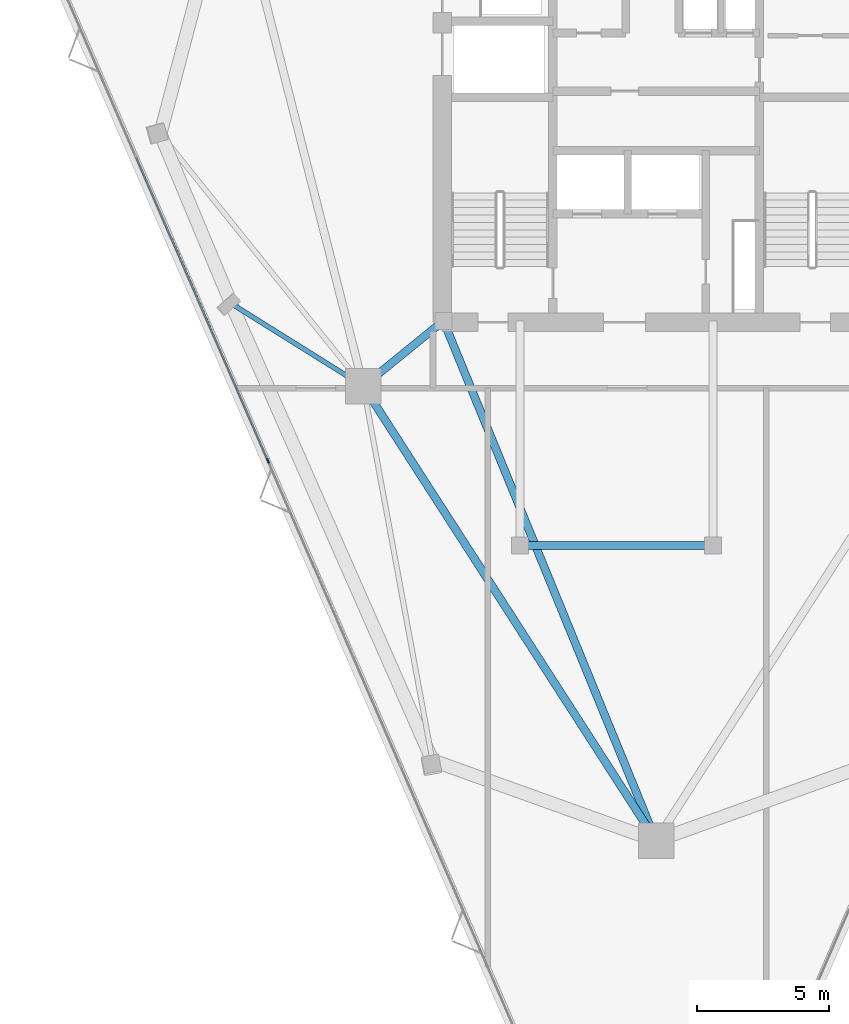
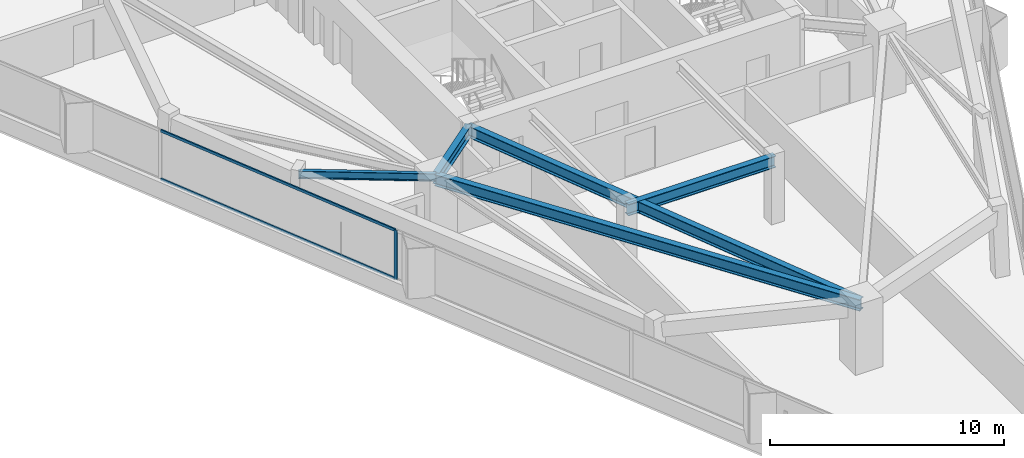
# One storey, part 3 of 12: 5 beams, 3 members, 1 element without a shape of its own.
"""IFC4 building model written with IfcOpenShell, lengths in metres."""

from ifc_helpers import new_model, si_unit, direction, frame, origin, origin_2d, place, context, subcontext, project, spatial, rectangle, i_section, extrude, material, layer, layer_set, material_profile, profile_set, type_object, element, aggregate, save


model = new_model("IFC4")

# Units and contexts
model_context = context("Model", 3, precision=1e-05, world=origin(), true_north=direction((0.0, 1.0)))
body_context = subcontext(model_context, "Body", "Model", "MODEL_VIEW")
ifc_project = project(units=[si_unit("LENGTHUNIT", "METRE"), si_unit("AREAUNIT", "SQUARE_METRE"), si_unit("VOLUMEUNIT", "CUBIC_METRE"), si_unit("PLANEANGLEUNIT", "RADIAN"), si_unit("MASSUNIT", "GRAM", prefix="KILO")], contexts=[model_context])

# Site, building, storey
site_placement = place(None, origin())
site = spatial("IfcSite", under=ifc_project, at=site_placement, CompositionType="ELEMENT")
building_placement = place(site_placement, origin())
building = spatial("IfcBuilding", under=site, at=building_placement, Name="Talyreon Biosciences Tower", CompositionType="ELEMENT")
storey_placement = place(building_placement, frame((0.0, 0.0, 215.89990234375)))
storey = spatial("IfcBuildingStorey", under=building, at=storey_placement, Name="L57", CompositionType="ELEMENT", Elevation=215.89990234375)

# Curtain wall, members
ifc_material_1 = material(Name="Thermally broken aluminium and low-E glazing", Category="aluminium")
ifc_layer = layer(ifc_material_1, 0.179931640625)
ifc_layer_set = layer_set([ifc_layer], Name="Thermally broken aluminium and low-E glazing")
curtain_wall_type = type_object("IfcCurtainWallType", Name="CurtainWall_Zone4Optical", PredefinedType="NOTDEFINED", material=ifc_layer_set)
curtain_wall_placement = place(storey_placement, origin())
curtain_wall = element("IfcCurtainWall", 1, at=curtain_wall_placement, inside=storey, type_object=curtain_wall_type, Name="L57 Unitised Curtain Wall FCW-L57-00", PredefinedType="NOTDEFINED")
ifc_material_2 = material(Name="Anodised thermally broken aluminium", Category="aluminium")
ifc_material_profile_1 = material_profile(ifc_material_2, rectangle(XDim=0.06494140625, YDim=0.179931640625, at=origin_2d()), Name="ALUM MULLION 65x180")
ifc_profile_set_1 = profile_set([ifc_material_profile_1], Name="Anodised thermally broken aluminium")
member_type_1 = type_object("IfcMemberType", Name="CWMullion_65x180", PredefinedType="MULLION", material=ifc_profile_set_1)
member_1_placement = place(storey_placement, frame((51.3037109375, 56.0546875, 0.81005859375), z_axis=(0.0, 0.0, 1.0), x_axis=(-0.917221993355, -0.398376473835, 0.0)))
member_1 = element("IfcMember", 2, at=member_1_placement, type_object=member_type_1, Name="CW5 mullion 3", PredefinedType="MULLION", context=body_context, shape_type="SweptSolid", body=[
    extrude(rectangle(XDim=0.06494140625, YDim=0.179931640625, at=origin_2d()), origin(), (0.0, 0.0, 1.0), 2.590087890625),
])
ifc_material_profile_2 = material_profile(ifc_material_2, rectangle(XDim=0.06494140625, YDim=0.139892578125, at=origin_2d()), Name="ALUM TRANSOM 65x140")
ifc_profile_set_2 = profile_set([ifc_material_profile_2], Name="Anodised thermally broken aluminium")
member_type_2 = type_object("IfcMemberType", Name="CWTransom_65x140", PredefinedType="USERDEFINED", material=ifc_profile_set_2)
member_2_placement = place(storey_placement, frame((51.290771484375, 56.08447265625, 0.842529296875), z_axis=(-0.39837717116, 0.917221690486, 0.0), x_axis=(-0.917221690486, -0.39837717116, 0.0)))
member_2 = element("IfcMember", 3, at=member_2_placement, type_object=member_type_2, Name="CW5 transom 3.1", ObjectType="TRANSOM", PredefinedType="USERDEFINED", context=body_context, shape_type="SweptSolid", body=[
    extrude(rectangle(XDim=0.06494140625, YDim=0.139892578125, at=origin_2d()), origin(), (0.0, 0.0, 1.0), 12.48583984375),
])
member_3_placement = place(storey_placement, frame((51.290771484375, 56.08447265625, 3.36767578125), z_axis=(-0.39837717116, 0.917221690486, 0.0), x_axis=(-0.917221690486, -0.39837717116, 0.0)))
member_3 = element("IfcMember", 4, at=member_3_placement, type_object=member_type_2, Name="CW5 transom 3.2", ObjectType="TRANSOM", PredefinedType="USERDEFINED", context=body_context, shape_type="SweptSolid", body=[
    extrude(rectangle(XDim=0.06494140625, YDim=0.139892578125, at=origin_2d()), origin(), (0.0, 0.0, 1.0), 12.48583984375),
])
aggregate(curtain_wall, [member_1, member_2, member_3])

# Beams
ifc_material_3 = material(Name="Steel SM355", Category="steel")
ifc_material_profile_3 = material_profile(ifc_material_3, i_section(OverallWidth=0.300048828125, OverallDepth=0.60009765625, WebThickness=0.015380859375, FlangeThickness=0.030029296875, FilletRadius=0.027099609375, at=origin_2d()), Name="HE600B")
ifc_profile_set_3 = profile_set([ifc_material_profile_3], Name="Steel SM355")
beam_type_1 = type_object("IfcBeamType", Name="SteelBeam_HE600B", PredefinedType="BEAM", material=ifc_profile_set_3)
beam_1_placement = place(storey_placement, frame((54.913818359375, 58.88037109375, 3.10009765625), z_axis=(0.541463723609, -0.840724114092, 0.0), x_axis=(0.840724114092, 0.541463723609, 0.0)))
element("IfcBeam", 5, at=beam_1_placement, inside=storey, type_object=beam_type_1, Name="L57 Mega-Ring Girder 6", PredefinedType="BEAM", context=body_context, shape_type="SweptSolid", body=[
    extrude(i_section(OverallWidth=0.300048828125, OverallDepth=0.60009765625, WebThickness=0.015380859375, FlangeThickness=0.030029296875, FilletRadius=0.027099609375, at=origin_2d()), origin(), (0.0, 0.0, 1.0), 20.474365234375),
])
beam_2_placement = place(storey_placement, frame((57.949951171875, 61.35009765625, 3.10009765625), z_axis=(0.378547014545, -0.925582064314, 0.0), x_axis=(0.925582064314, 0.378547014545, 0.0)))
element("IfcBeam", 6, at=beam_2_placement, inside=storey, type_object=beam_type_1, Name="L57 Radial Primary Girder 1", PredefinedType="BEAM", context=body_context, shape_type="SweptSolid", body=[
    extrude(i_section(OverallWidth=0.300048828125, OverallDepth=0.60009765625, WebThickness=0.015380859375, FlangeThickness=0.030029296875, FilletRadius=0.027099609375, at=origin_2d()), origin(), (0.0, 0.0, 1.0), 21.265625),
])
beam_3_placement = place(storey_placement, frame((57.949951171875, 61.35009765625, 3.10009765625), z_axis=(-0.775755154013, -0.631034025249, 0.0), x_axis=(0.631034025249, -0.775755154013, 0.0)))
element("IfcBeam", 7, at=beam_3_placement, inside=storey, type_object=beam_type_1, Name="L57 Radial Primary Girder 6", PredefinedType="BEAM", context=body_context, shape_type="SweptSolid", body=[
    extrude(i_section(OverallWidth=0.300048828125, OverallDepth=0.60009765625, WebThickness=0.015380859375, FlangeThickness=0.030029296875, FilletRadius=0.027099609375, at=origin_2d()), origin(), (0.0, 0.0, 1.0), 3.913818359375),
])
beam_4_placement = place(storey_placement, frame((60.85009765625, 52.840087890625, 3.10009765625), z_axis=(1.0, 0.0, 0.0), x_axis=(0.0, 1.0, 0.0)))
element("IfcBeam", 8, at=beam_4_placement, inside=storey, type_object=beam_type_1, Name="L57 Crown Shaft Spine Girder S", PredefinedType="BEAM", context=body_context, shape_type="SweptSolid", body=[
    extrude(i_section(OverallWidth=0.300048828125, OverallDepth=0.60009765625, WebThickness=0.015380859375, FlangeThickness=0.030029296875, FilletRadius=0.027099609375, at=origin_2d()), origin(), (0.0, 0.0, 1.0), 7.2998046875),
])
ifc_material_profile_4 = material_profile(ifc_material_3, i_section(OverallWidth=0.179931640625, OverallDepth=0.39990234375, WebThickness=0.008544921875, FlangeThickness=0.013427734375, FilletRadius=0.02099609375, at=origin_2d()), Name="IPE400")
ifc_profile_set_4 = profile_set([ifc_material_profile_4], Name="Steel SM355")
beam_type_2 = type_object("IfcBeamType", Name="SteelJoist_IPE400", PredefinedType="JOIST", material=ifc_profile_set_4)
beam_5_placement = place(storey_placement, frame((54.913818359375, 58.88037109375, 3.2001953125), z_axis=(-0.848172630448, 0.529719915576, 0.0), x_axis=(-0.529719915576, -0.848172630448, 0.0)))
element("IfcBeam", 9, at=beam_5_placement, inside=storey, type_object=beam_type_2, Name="L57 Radial Composite Floor Joist PL-SW", PredefinedType="JOIST", context=body_context, shape_type="SweptSolid", body=[
    extrude(i_section(OverallWidth=0.179931640625, OverallDepth=0.39990234375, WebThickness=0.008544921875, FlangeThickness=0.013427734375, FilletRadius=0.02099609375, at=origin_2d()), origin(), (0.0, 0.0, 1.0), 5.8994140625),
])

save(model, "model.ifc")
